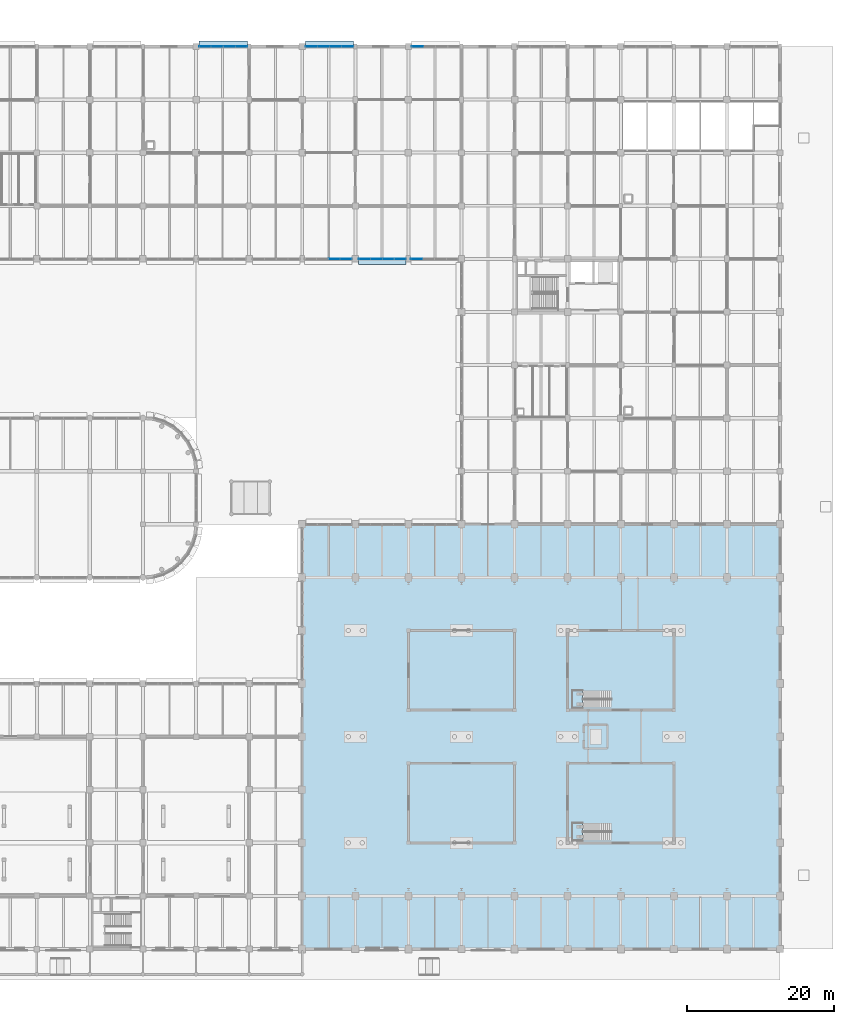
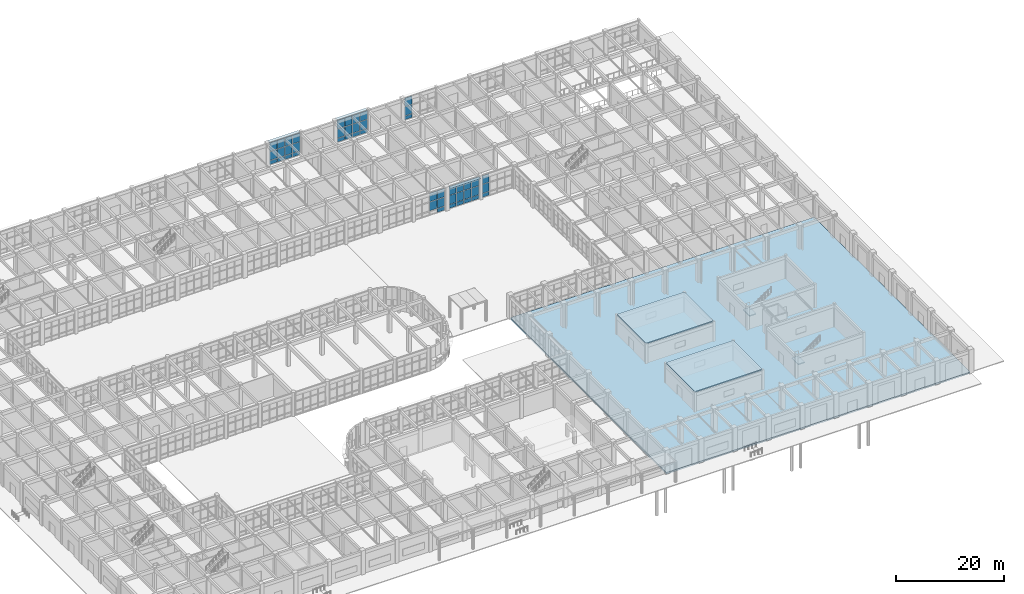
# One storey, part 129 of 160: 50 plates, 5 slabs, 8 elements without a shape of their own.
"""IFC4 building model written with IfcOpenShell, lengths in metres."""

from ifc_helpers import new_model, si_unit, direction, frame, origin, origin_2d, place, context, subcontext, project, spatial, polyline, rectangle, outline, extrude, material, layer, layer_set, type_object, element, aggregate, save


model = new_model("IFC4")

# Units and contexts
model_context = context("Model", 3, precision=1e-05, world=origin(), true_north=direction((0.0, 1.0)))
body_context = subcontext(model_context, "Body", "Model", "MODEL_VIEW")
ifc_project = project(units=[si_unit("LENGTHUNIT", "METRE"), si_unit("AREAUNIT", "SQUARE_METRE"), si_unit("VOLUMEUNIT", "CUBIC_METRE"), si_unit("PLANEANGLEUNIT", "RADIAN"), si_unit("MASSUNIT", "GRAM", prefix="KILO")], contexts=[model_context])

# Site, building, storey
site_placement = place(None, origin())
site = spatial("IfcSite", under=ifc_project, at=site_placement, CompositionType="ELEMENT")
building_placement = place(site_placement, origin())
building = spatial("IfcBuilding", under=site, at=building_placement, Name="Thalmaran Polytechnic", CompositionType="ELEMENT")
storey_placement = place(building_placement, origin())
storey = spatial("IfcBuildingStorey", under=building, at=storey_placement, Name="L00", CompositionType="ELEMENT", Elevation=0.0)

# Plates
ifc_material_1 = material(Name="Anodised aluminium sun-hood eyebrow", Category="aluminium")
ifc_layer_1 = layer(ifc_material_1, 0.0849609375, Name="Anodised aluminium sun-hood eyebrow")
ifc_layer_set_1 = layer_set([ifc_layer_1], Name="Anodised aluminium sun-hood eyebrow")
plate_type_1 = type_object("IfcPlateType", Name="PT-EB01", PredefinedType="SHEET", material=ifc_layer_set_1)
for number, where, z_axis, x_axis, name in (
    (1, (97.29248046875, 122.760009765625, 4.987548828125), (0.0, 0.0, 1.0), (1.0, 0.0, 0.0), "Streamline Sun-Hood Eyebrow L00-CW008"),
    (2, (111.6923828125, 122.760009765625, 4.987548828125), (0.0, 0.0, 1.0), (1.0, 0.0, 0.0), "Streamline Sun-Hood Eyebrow L00-CW009"),
):
    element("IfcPlate", number, at=place(storey_placement, frame(where, z_axis=z_axis, x_axis=x_axis)), inside=storey, type_object=plate_type_1, Name=name, PredefinedType="SHEET", context=body_context, shape_type="SweptSolid", body=[
        extrude(rectangle(XDim=6.52490234375, YDim=0.760009765625, at=origin_2d()), origin(), (0.0, 0.0, 1.0), 0.0849609375),
    ])
plate_1_placement = place(storey_placement, frame((118.8701171875, 93.239990234375, 4.987548828125), z_axis=(0.0, 0.0, 1.0), x_axis=(-1.0, 0.0, 0.0)))
element("IfcPlate", 3, at=plate_1_placement, inside=storey, type_object=plate_type_1, Name="Streamline Sun-Hood Eyebrow L00-CW073", PredefinedType="SHEET", context=body_context, shape_type="SweptSolid", body=[
    extrude(rectangle(XDim=6.419921875, YDim=0.760009765625, at=origin_2d()), origin(), (0.0, 0.0, 1.0), 0.0849609375),
])

# Curtain wall, plates
ifc_material_2 = material(Name="Aluminium 6063-T6", Category="aluminium")
curtain_wall_type = type_object("IfcCurtainWallType", Name="CW-UC01", PredefinedType="USERDEFINED", material=ifc_material_2)
curtain_wall_1_placement = place(storey_placement, origin())
curtain_wall_1 = element("IfcCurtainWall", 4, at=curtain_wall_1_placement, inside=storey, type_object=curtain_wall_type, Name="Curtain Wall CW-L00-010", ObjectType="UNITISED CURTAIN WALL", PredefinedType="USERDEFINED")
ifc_material_3 = material(Name="Solar-control double low-E glass", Category="glass")
ifc_layer_2 = layer(ifc_material_3, 0.035888671875, Name="Solar-control double low-E glass")
ifc_layer_set_2 = layer_set([ifc_layer_2], Name="Solar-control double low-E glass")
plate_type_2 = type_object("IfcPlateType", Name="PT-GL01", PredefinedType="CURTAIN_PANEL", material=ifc_layer_set_2)
plate_2_placement = place(storey_placement, frame((123.630615234375, 122.39990234375, 1.0), z_axis=(0.0, 0.0, 1.0), x_axis=(1.0, 0.0, 0.0)))
plate_2 = element("IfcPlate", 5, at=plate_2_placement, type_object=plate_type_2, Name="CW-L00-010 Vision Panel 1-2", PredefinedType="CURTAIN_PANEL", context=body_context, shape_type="SweptSolid", body=[
    extrude(rectangle(XDim=1.541259765625, YDim=0.035888671875, at=origin_2d()), origin(), (0.0, 0.0, 1.0), 1.985107421875),
])
plate_3_placement = place(storey_placement, frame((123.630615234375, 122.39990234375, 3.06494140625), z_axis=(0.0, 0.0, 1.0), x_axis=(1.0, 0.0, 0.0)))
plate_3 = element("IfcPlate", 6, at=plate_3_placement, type_object=plate_type_2, Name="CW-L00-010 Vision Panel 1-3", PredefinedType="CURTAIN_PANEL", context=body_context, shape_type="SweptSolid", body=[
    extrude(rectangle(XDim=1.541259765625, YDim=0.035888671875, at=origin_2d()), origin(), (0.0, 0.0, 1.0), 1.925048828125),
])

curtain_wall_2_placement = place(storey_placement, origin())
curtain_wall_2 = element("IfcCurtainWall", 7, at=curtain_wall_2_placement, inside=storey, type_object=curtain_wall_type, Name="Curtain Wall CW-L00-072", ObjectType="UNITISED CURTAIN WALL", PredefinedType="USERDEFINED")
ifc_layer_3 = layer(ifc_material_3, 0.035888671875, Name="Solar-control double low-E glass")
ifc_layer_set_3 = layer_set([ifc_layer_3], Name="Solar-control double low-E glass")
plate_type_3 = type_object("IfcPlateType", Name="PT-GL03", PredefinedType="CURTAIN_PANEL", material=ifc_layer_set_3)
plate_4_placement = place(storey_placement, frame((123.507568359375, 93.60009765625, 1.0), z_axis=(0.0, 0.0, 1.0), x_axis=(-1.0, 0.0, 0.0)))
plate_4 = element("IfcPlate", 8, at=plate_4_placement, type_object=plate_type_3, Name="CW-L00-072 Vision Panel 4-2", PredefinedType="CURTAIN_PANEL", context=body_context, shape_type="SweptSolid", body=[
    extrude(rectangle(XDim=1.514892578125, YDim=0.035888671875, at=origin_2d()), origin(), (0.0, 0.0, 1.0), 1.985107421875),
])
plate_5_placement = place(storey_placement, frame((123.507568359375, 93.60009765625, 3.06494140625), z_axis=(0.0, 0.0, 1.0), x_axis=(-1.0, 0.0, 0.0)))
plate_5 = element("IfcPlate", 9, at=plate_5_placement, type_object=plate_type_3, Name="CW-L00-072 Vision Panel 4-3", PredefinedType="CURTAIN_PANEL", context=body_context, shape_type="SweptSolid", body=[
    extrude(rectangle(XDim=1.514892578125, YDim=0.035888671875, at=origin_2d()), origin(), (0.0, 0.0, 1.0), 1.925048828125),
])

curtain_wall_3_placement = place(storey_placement, origin())
curtain_wall_3 = element("IfcCurtainWall", 10, at=curtain_wall_3_placement, inside=storey, type_object=curtain_wall_type, Name="Curtain Wall CW-L00-008", ObjectType="UNITISED CURTAIN WALL", PredefinedType="USERDEFINED")
ifc_layer_4 = layer(ifc_material_3, 0.035888671875, Name="Solar-control double low-E glass")
ifc_layer_set_4 = layer_set([ifc_layer_4], Name="Solar-control double low-E glass")
plate_type_4 = type_object("IfcPlateType", Name="PT-GL04", PredefinedType="CURTAIN_PANEL", material=ifc_layer_set_4)
plate_6_placement = place(storey_placement, frame((94.83056640625, 122.39990234375, 1.0), z_axis=(0.0, 0.0, 1.0), x_axis=(1.0, 0.0, 0.0)))
plate_6 = element("IfcPlate", 11, at=plate_6_placement, type_object=plate_type_4, Name="CW-L00-008 Vision Panel 1-2", PredefinedType="CURTAIN_PANEL", context=body_context, shape_type="SweptSolid", body=[
    extrude(rectangle(XDim=1.541259765625, YDim=0.035888671875, at=origin_2d()), origin(), (0.0, 0.0, 1.0), 1.985107421875),
])
plate_7_placement = place(storey_placement, frame((94.83056640625, 122.39990234375, 3.06494140625), z_axis=(0.0, 0.0, 1.0), x_axis=(1.0, 0.0, 0.0)))
plate_7 = element("IfcPlate", 12, at=plate_7_placement, type_object=plate_type_4, Name="CW-L00-008 Vision Panel 1-3", PredefinedType="CURTAIN_PANEL", context=body_context, shape_type="SweptSolid", body=[
    extrude(rectangle(XDim=1.541259765625, YDim=0.035888671875, at=origin_2d()), origin(), (0.0, 0.0, 1.0), 1.925048828125),
])
plate_8_placement = place(storey_placement, frame((96.471923828125, 122.39990234375, 1.0), z_axis=(0.0, 0.0, 1.0), x_axis=(1.0, 0.0, 0.0)))
plate_8 = element("IfcPlate", 13, at=plate_8_placement, type_object=plate_type_4, Name="CW-L00-008 Vision Panel 2-2", PredefinedType="CURTAIN_PANEL", context=body_context, shape_type="SweptSolid", body=[
    extrude(rectangle(XDim=1.541259765625, YDim=0.035888671875, at=origin_2d()), origin(), (0.0, 0.0, 1.0), 1.985107421875),
])
plate_9_placement = place(storey_placement, frame((96.471923828125, 122.39990234375, 3.06494140625), z_axis=(0.0, 0.0, 1.0), x_axis=(1.0, 0.0, 0.0)))
plate_9 = element("IfcPlate", 14, at=plate_9_placement, type_object=plate_type_4, Name="CW-L00-008 Vision Panel 2-3", PredefinedType="CURTAIN_PANEL", context=body_context, shape_type="SweptSolid", body=[
    extrude(rectangle(XDim=1.541259765625, YDim=0.035888671875, at=origin_2d()), origin(), (0.0, 0.0, 1.0), 1.925048828125),
])
plate_10_placement = place(storey_placement, frame((98.113037109375, 122.39990234375, 1.0), z_axis=(0.0, 0.0, 1.0), x_axis=(1.0, 0.0, 0.0)))
plate_10 = element("IfcPlate", 15, at=plate_10_placement, type_object=plate_type_4, Name="CW-L00-008 Vision Panel 3-2", PredefinedType="CURTAIN_PANEL", context=body_context, shape_type="SweptSolid", body=[
    extrude(rectangle(XDim=1.541259765625, YDim=0.035888671875, at=origin_2d()), origin(), (0.0, 0.0, 1.0), 1.985107421875),
])
plate_11_placement = place(storey_placement, frame((98.113037109375, 122.39990234375, 3.06494140625), z_axis=(0.0, 0.0, 1.0), x_axis=(1.0, 0.0, 0.0)))
plate_11 = element("IfcPlate", 16, at=plate_11_placement, type_object=plate_type_4, Name="CW-L00-008 Vision Panel 3-3", PredefinedType="CURTAIN_PANEL", context=body_context, shape_type="SweptSolid", body=[
    extrude(rectangle(XDim=1.541259765625, YDim=0.035888671875, at=origin_2d()), origin(), (0.0, 0.0, 1.0), 1.925048828125),
])
plate_12_placement = place(storey_placement, frame((99.75439453125, 122.39990234375, 1.0), z_axis=(0.0, 0.0, 1.0), x_axis=(1.0, 0.0, 0.0)))
plate_12 = element("IfcPlate", 17, at=plate_12_placement, type_object=plate_type_4, Name="CW-L00-008 Vision Panel 4-2", PredefinedType="CURTAIN_PANEL", context=body_context, shape_type="SweptSolid", body=[
    extrude(rectangle(XDim=1.541259765625, YDim=0.035888671875, at=origin_2d()), origin(), (0.0, 0.0, 1.0), 1.985107421875),
])
plate_13_placement = place(storey_placement, frame((99.75439453125, 122.39990234375, 3.06494140625), z_axis=(0.0, 0.0, 1.0), x_axis=(1.0, 0.0, 0.0)))
plate_13 = element("IfcPlate", 18, at=plate_13_placement, type_object=plate_type_4, Name="CW-L00-008 Vision Panel 4-3", PredefinedType="CURTAIN_PANEL", context=body_context, shape_type="SweptSolid", body=[
    extrude(rectangle(XDim=1.541259765625, YDim=0.035888671875, at=origin_2d()), origin(), (0.0, 0.0, 1.0), 1.925048828125),
])

curtain_wall_4_placement = place(storey_placement, origin())
curtain_wall_4 = element("IfcCurtainWall", 19, at=curtain_wall_4_placement, inside=storey, type_object=curtain_wall_type, Name="Curtain Wall CW-L00-073", ObjectType="UNITISED CURTAIN WALL", PredefinedType="USERDEFINED")
plate_14_placement = place(storey_placement, frame((121.29248046875, 93.60009765625, 1.0), z_axis=(0.0, 0.0, 1.0), x_axis=(-1.0, 0.0, 0.0)))
plate_14 = element("IfcPlate", 20, at=plate_14_placement, type_object=plate_type_4, Name="CW-L00-073 Vision Panel 1-2", PredefinedType="CURTAIN_PANEL", context=body_context, shape_type="SweptSolid", body=[
    extrude(rectangle(XDim=1.514892578125, YDim=0.035888671875, at=origin_2d()), origin(), (0.0, 0.0, 1.0), 1.985107421875),
])
plate_15_placement = place(storey_placement, frame((121.29248046875, 93.60009765625, 3.06494140625), z_axis=(0.0, 0.0, 1.0), x_axis=(-1.0, 0.0, 0.0)))
plate_15 = element("IfcPlate", 21, at=plate_15_placement, type_object=plate_type_4, Name="CW-L00-073 Vision Panel 1-3", PredefinedType="CURTAIN_PANEL", context=body_context, shape_type="SweptSolid", body=[
    extrude(rectangle(XDim=1.514892578125, YDim=0.035888671875, at=origin_2d()), origin(), (0.0, 0.0, 1.0), 1.925048828125),
])
plate_16_placement = place(storey_placement, frame((119.677490234375, 93.60009765625, 1.0), z_axis=(0.0, 0.0, 1.0), x_axis=(-1.0, 0.0, 0.0)))
plate_16 = element("IfcPlate", 22, at=plate_16_placement, type_object=plate_type_4, Name="CW-L00-073 Vision Panel 2-2", PredefinedType="CURTAIN_PANEL", context=body_context, shape_type="SweptSolid", body=[
    extrude(rectangle(XDim=1.514892578125, YDim=0.035888671875, at=origin_2d()), origin(), (0.0, 0.0, 1.0), 1.985107421875),
])
plate_17_placement = place(storey_placement, frame((119.677490234375, 93.60009765625, 3.06494140625), z_axis=(0.0, 0.0, 1.0), x_axis=(-1.0, 0.0, 0.0)))
plate_17 = element("IfcPlate", 23, at=plate_17_placement, type_object=plate_type_4, Name="CW-L00-073 Vision Panel 2-3", PredefinedType="CURTAIN_PANEL", context=body_context, shape_type="SweptSolid", body=[
    extrude(rectangle(XDim=1.514892578125, YDim=0.035888671875, at=origin_2d()), origin(), (0.0, 0.0, 1.0), 1.925048828125),
])
plate_18_placement = place(storey_placement, frame((118.0625, 93.60009765625, 1.0), z_axis=(0.0, 0.0, 1.0), x_axis=(-1.0, 0.0, 0.0)))
plate_18 = element("IfcPlate", 24, at=plate_18_placement, type_object=plate_type_4, Name="CW-L00-073 Vision Panel 3-2", PredefinedType="CURTAIN_PANEL", context=body_context, shape_type="SweptSolid", body=[
    extrude(rectangle(XDim=1.514892578125, YDim=0.035888671875, at=origin_2d()), origin(), (0.0, 0.0, 1.0), 1.985107421875),
])
plate_19_placement = place(storey_placement, frame((118.0625, 93.60009765625, 3.06494140625), z_axis=(0.0, 0.0, 1.0), x_axis=(-1.0, 0.0, 0.0)))
plate_19 = element("IfcPlate", 25, at=plate_19_placement, type_object=plate_type_4, Name="CW-L00-073 Vision Panel 3-3", PredefinedType="CURTAIN_PANEL", context=body_context, shape_type="SweptSolid", body=[
    extrude(rectangle(XDim=1.514892578125, YDim=0.035888671875, at=origin_2d()), origin(), (0.0, 0.0, 1.0), 1.925048828125),
])
plate_20_placement = place(storey_placement, frame((116.447509765625, 93.60009765625, 1.0), z_axis=(0.0, 0.0, 1.0), x_axis=(-1.0, 0.0, 0.0)))
plate_20 = element("IfcPlate", 26, at=plate_20_placement, type_object=plate_type_4, Name="CW-L00-073 Vision Panel 4-2", PredefinedType="CURTAIN_PANEL", context=body_context, shape_type="SweptSolid", body=[
    extrude(rectangle(XDim=1.514892578125, YDim=0.035888671875, at=origin_2d()), origin(), (0.0, 0.0, 1.0), 1.985107421875),
])
plate_21_placement = place(storey_placement, frame((116.447509765625, 93.60009765625, 3.06494140625), z_axis=(0.0, 0.0, 1.0), x_axis=(-1.0, 0.0, 0.0)))
plate_21 = element("IfcPlate", 27, at=plate_21_placement, type_object=plate_type_4, Name="CW-L00-073 Vision Panel 4-3", PredefinedType="CURTAIN_PANEL", context=body_context, shape_type="SweptSolid", body=[
    extrude(rectangle(XDim=1.514892578125, YDim=0.035888671875, at=origin_2d()), origin(), (0.0, 0.0, 1.0), 1.925048828125),
])

curtain_wall_5_placement = place(storey_placement, origin())
curtain_wall_5 = element("IfcCurtainWall", 28, at=curtain_wall_5_placement, inside=storey, type_object=curtain_wall_type, Name="Curtain Wall CW-L00-009", ObjectType="UNITISED CURTAIN WALL", PredefinedType="USERDEFINED")
ifc_layer_5 = layer(ifc_material_3, 0.035888671875, Name="Solar-control double low-E glass")
ifc_layer_set_5 = layer_set([ifc_layer_5], Name="Solar-control double low-E glass")
plate_type_5 = type_object("IfcPlateType", Name="PT-GL05", PredefinedType="CURTAIN_PANEL", material=ifc_layer_set_5)
plate_22_placement = place(storey_placement, frame((109.230712890625, 122.39990234375, 1.0), z_axis=(0.0, 0.0, 1.0), x_axis=(1.0, 0.0, 0.0)))
plate_22 = element("IfcPlate", 29, at=plate_22_placement, type_object=plate_type_5, Name="CW-L00-009 Vision Panel 1-2", PredefinedType="CURTAIN_PANEL", context=body_context, shape_type="SweptSolid", body=[
    extrude(rectangle(XDim=1.541259765625, YDim=0.035888671875, at=origin_2d()), origin(), (0.0, 0.0, 1.0), 1.985107421875),
])
plate_23_placement = place(storey_placement, frame((109.230712890625, 122.39990234375, 3.06494140625), z_axis=(0.0, 0.0, 1.0), x_axis=(1.0, 0.0, 0.0)))
plate_23 = element("IfcPlate", 30, at=plate_23_placement, type_object=plate_type_5, Name="CW-L00-009 Vision Panel 1-3", PredefinedType="CURTAIN_PANEL", context=body_context, shape_type="SweptSolid", body=[
    extrude(rectangle(XDim=1.541259765625, YDim=0.035888671875, at=origin_2d()), origin(), (0.0, 0.0, 1.0), 1.925048828125),
])
plate_24_placement = place(storey_placement, frame((110.871826171875, 122.39990234375, 1.0), z_axis=(0.0, 0.0, 1.0), x_axis=(1.0, 0.0, 0.0)))
plate_24 = element("IfcPlate", 31, at=plate_24_placement, type_object=plate_type_5, Name="CW-L00-009 Vision Panel 2-2", PredefinedType="CURTAIN_PANEL", context=body_context, shape_type="SweptSolid", body=[
    extrude(rectangle(XDim=1.541259765625, YDim=0.035888671875, at=origin_2d()), origin(), (0.0, 0.0, 1.0), 1.985107421875),
])
plate_25_placement = place(storey_placement, frame((110.871826171875, 122.39990234375, 3.06494140625), z_axis=(0.0, 0.0, 1.0), x_axis=(1.0, 0.0, 0.0)))
plate_25 = element("IfcPlate", 32, at=plate_25_placement, type_object=plate_type_5, Name="CW-L00-009 Vision Panel 2-3", PredefinedType="CURTAIN_PANEL", context=body_context, shape_type="SweptSolid", body=[
    extrude(rectangle(XDim=1.541259765625, YDim=0.035888671875, at=origin_2d()), origin(), (0.0, 0.0, 1.0), 1.925048828125),
])
plate_26_placement = place(storey_placement, frame((112.51318359375, 122.39990234375, 1.0), z_axis=(0.0, 0.0, 1.0), x_axis=(1.0, 0.0, 0.0)))
plate_26 = element("IfcPlate", 33, at=plate_26_placement, type_object=plate_type_5, Name="CW-L00-009 Vision Panel 3-2", PredefinedType="CURTAIN_PANEL", context=body_context, shape_type="SweptSolid", body=[
    extrude(rectangle(XDim=1.541259765625, YDim=0.035888671875, at=origin_2d()), origin(), (0.0, 0.0, 1.0), 1.985107421875),
])
plate_27_placement = place(storey_placement, frame((112.51318359375, 122.39990234375, 3.06494140625), z_axis=(0.0, 0.0, 1.0), x_axis=(1.0, 0.0, 0.0)))
plate_27 = element("IfcPlate", 34, at=plate_27_placement, type_object=plate_type_5, Name="CW-L00-009 Vision Panel 3-3", PredefinedType="CURTAIN_PANEL", context=body_context, shape_type="SweptSolid", body=[
    extrude(rectangle(XDim=1.541259765625, YDim=0.035888671875, at=origin_2d()), origin(), (0.0, 0.0, 1.0), 1.925048828125),
])
plate_28_placement = place(storey_placement, frame((114.154296875, 122.39990234375, 1.0), z_axis=(0.0, 0.0, 1.0), x_axis=(1.0, 0.0, 0.0)))
plate_28 = element("IfcPlate", 35, at=plate_28_placement, type_object=plate_type_5, Name="CW-L00-009 Vision Panel 4-2", PredefinedType="CURTAIN_PANEL", context=body_context, shape_type="SweptSolid", body=[
    extrude(rectangle(XDim=1.541259765625, YDim=0.035888671875, at=origin_2d()), origin(), (0.0, 0.0, 1.0), 1.985107421875),
])
plate_29_placement = place(storey_placement, frame((114.154296875, 122.39990234375, 3.06494140625), z_axis=(0.0, 0.0, 1.0), x_axis=(1.0, 0.0, 0.0)))
plate_29 = element("IfcPlate", 36, at=plate_29_placement, type_object=plate_type_5, Name="CW-L00-009 Vision Panel 4-3", PredefinedType="CURTAIN_PANEL", context=body_context, shape_type="SweptSolid", body=[
    extrude(rectangle(XDim=1.541259765625, YDim=0.035888671875, at=origin_2d()), origin(), (0.0, 0.0, 1.0), 1.925048828125),
])

curtain_wall_6_placement = place(storey_placement, origin())
curtain_wall_6 = element("IfcCurtainWall", 37, at=curtain_wall_6_placement, inside=storey, type_object=curtain_wall_type, Name="Curtain Wall CW-L00-074", ObjectType="UNITISED CURTAIN WALL", PredefinedType="USERDEFINED")
plate_30_placement = place(storey_placement, frame((113.952392578125, 93.60009765625, 1.0), z_axis=(0.0, 0.0, 1.0), x_axis=(-1.0, 0.0, 0.0)))
plate_30 = element("IfcPlate", 38, at=plate_30_placement, type_object=plate_type_5, Name="CW-L00-074 Vision Panel 1-2", PredefinedType="CURTAIN_PANEL", context=body_context, shape_type="SweptSolid", body=[
    extrude(rectangle(XDim=1.514892578125, YDim=0.035888671875, at=origin_2d()), origin(), (0.0, 0.0, 1.0), 1.985107421875),
])
plate_31_placement = place(storey_placement, frame((113.952392578125, 93.60009765625, 3.06494140625), z_axis=(0.0, 0.0, 1.0), x_axis=(-1.0, 0.0, 0.0)))
plate_31 = element("IfcPlate", 39, at=plate_31_placement, type_object=plate_type_5, Name="CW-L00-074 Vision Panel 1-3", PredefinedType="CURTAIN_PANEL", context=body_context, shape_type="SweptSolid", body=[
    extrude(rectangle(XDim=1.514892578125, YDim=0.035888671875, at=origin_2d()), origin(), (0.0, 0.0, 1.0), 1.925048828125),
])
plate_32_placement = place(storey_placement, frame((112.33740234375, 93.60009765625, 1.0), z_axis=(0.0, 0.0, 1.0), x_axis=(-1.0, 0.0, 0.0)))
plate_32 = element("IfcPlate", 40, at=plate_32_placement, type_object=plate_type_5, Name="CW-L00-074 Vision Panel 2-2", PredefinedType="CURTAIN_PANEL", context=body_context, shape_type="SweptSolid", body=[
    extrude(rectangle(XDim=1.514892578125, YDim=0.035888671875, at=origin_2d()), origin(), (0.0, 0.0, 1.0), 1.985107421875),
])
plate_33_placement = place(storey_placement, frame((112.33740234375, 93.60009765625, 3.06494140625), z_axis=(0.0, 0.0, 1.0), x_axis=(-1.0, 0.0, 0.0)))
plate_33 = element("IfcPlate", 41, at=plate_33_placement, type_object=plate_type_5, Name="CW-L00-074 Vision Panel 2-3", PredefinedType="CURTAIN_PANEL", context=body_context, shape_type="SweptSolid", body=[
    extrude(rectangle(XDim=1.514892578125, YDim=0.035888671875, at=origin_2d()), origin(), (0.0, 0.0, 1.0), 1.925048828125),
])

# Plate
ifc_material_4 = material(Name="Insulated anodised aluminium spandrel", Category="aluminium")
ifc_layer_6 = layer(ifc_material_4, 0.06005859375, Name="Insulated anodised aluminium spandrel")
ifc_layer_set_6 = layer_set([ifc_layer_6], Name="Insulated anodised aluminium spandrel")
plate_type_6 = type_object("IfcPlateType", Name="PT-SP01", PredefinedType="CURTAIN_PANEL", material=ifc_layer_set_6)
plate_34_placement = place(storey_placement, frame((109.230712890625, 122.39990234375, 0.10009765625), z_axis=(0.0, 0.0, 1.0), x_axis=(1.0, 0.0, 0.0)))
plate_34 = element("IfcPlate", 42, at=plate_34_placement, type_object=plate_type_6, Name="CW-L00-009 Spandrel Panel 1-1", PredefinedType="CURTAIN_PANEL", context=body_context, shape_type="SweptSolid", body=[
    extrude(rectangle(XDim=1.541259765625, YDim=0.06005859375, at=origin_2d()), origin(), (0.0, 0.0, 1.0), 0.820068359375),
])

plate_35_placement = place(storey_placement, frame((110.871826171875, 122.39990234375, 0.10009765625), z_axis=(0.0, 0.0, 1.0), x_axis=(1.0, 0.0, 0.0)))
plate_35 = element("IfcPlate", 43, at=plate_35_placement, type_object=plate_type_6, Name="CW-L00-009 Spandrel Panel 2-1", PredefinedType="CURTAIN_PANEL", context=body_context, shape_type="SweptSolid", body=[
    extrude(rectangle(XDim=1.541259765625, YDim=0.06005859375, at=origin_2d()), origin(), (0.0, 0.0, 1.0), 0.820068359375),
])

plate_36_placement = place(storey_placement, frame((112.51318359375, 122.39990234375, 0.10009765625), z_axis=(0.0, 0.0, 1.0), x_axis=(1.0, 0.0, 0.0)))
plate_36 = element("IfcPlate", 44, at=plate_36_placement, type_object=plate_type_6, Name="CW-L00-009 Spandrel Panel 3-1", PredefinedType="CURTAIN_PANEL", context=body_context, shape_type="SweptSolid", body=[
    extrude(rectangle(XDim=1.541259765625, YDim=0.06005859375, at=origin_2d()), origin(), (0.0, 0.0, 1.0), 0.820068359375),
])

plate_37_placement = place(storey_placement, frame((114.154296875, 122.39990234375, 0.10009765625), z_axis=(0.0, 0.0, 1.0), x_axis=(1.0, 0.0, 0.0)))
plate_37 = element("IfcPlate", 45, at=plate_37_placement, type_object=plate_type_6, Name="CW-L00-009 Spandrel Panel 4-1", PredefinedType="CURTAIN_PANEL", context=body_context, shape_type="SweptSolid", body=[
    extrude(rectangle(XDim=1.541259765625, YDim=0.06005859375, at=origin_2d()), origin(), (0.0, 0.0, 1.0), 0.820068359375),
])

aggregate(curtain_wall_5, [plate_34, plate_22, plate_23, plate_35, plate_24, plate_25, plate_36, plate_26, plate_27, plate_37, plate_28, plate_29])

plate_38_placement = place(storey_placement, frame((123.507568359375, 93.60009765625, 0.10009765625), z_axis=(0.0, 0.0, 1.0), x_axis=(-1.0, 0.0, 0.0)))
plate_38 = element("IfcPlate", 46, at=plate_38_placement, type_object=plate_type_6, Name="CW-L00-072 Spandrel Panel 4-1", PredefinedType="CURTAIN_PANEL", context=body_context, shape_type="SweptSolid", body=[
    extrude(rectangle(XDim=1.514892578125, YDim=0.06005859375, at=origin_2d()), origin(), (0.0, 0.0, 1.0), 0.820068359375),
])

aggregate(curtain_wall_2, [plate_38, plate_4, plate_5])

ifc_layer_7 = layer(ifc_material_4, 0.06005859375, Name="Insulated anodised aluminium spandrel")
ifc_layer_set_7 = layer_set([ifc_layer_7], Name="Insulated anodised aluminium spandrel")
plate_type_7 = type_object("IfcPlateType", Name="PT-SP02", PredefinedType="CURTAIN_PANEL", material=ifc_layer_set_7)
plate_39_placement = place(storey_placement, frame((123.630615234375, 122.39990234375, 0.10009765625), z_axis=(0.0, 0.0, 1.0), x_axis=(1.0, 0.0, 0.0)))
plate_39 = element("IfcPlate", 47, at=plate_39_placement, type_object=plate_type_7, Name="CW-L00-010 Spandrel Panel 1-1", PredefinedType="CURTAIN_PANEL", context=body_context, shape_type="SweptSolid", body=[
    extrude(rectangle(XDim=1.541259765625, YDim=0.06005859375, at=origin_2d()), origin(), (0.0, 0.0, 1.0), 0.820068359375),
])

aggregate(curtain_wall_1, [plate_39, plate_2, plate_3])

plate_40_placement = place(storey_placement, frame((121.29248046875, 93.60009765625, 0.10009765625), z_axis=(0.0, 0.0, 1.0), x_axis=(-1.0, 0.0, 0.0)))
plate_40 = element("IfcPlate", 48, at=plate_40_placement, type_object=plate_type_7, Name="CW-L00-073 Spandrel Panel 1-1", PredefinedType="CURTAIN_PANEL", context=body_context, shape_type="SweptSolid", body=[
    extrude(rectangle(XDim=1.514892578125, YDim=0.06005859375, at=origin_2d()), origin(), (0.0, 0.0, 1.0), 0.820068359375),
])

plate_41_placement = place(storey_placement, frame((119.677490234375, 93.60009765625, 0.10009765625), z_axis=(0.0, 0.0, 1.0), x_axis=(-1.0, 0.0, 0.0)))
plate_41 = element("IfcPlate", 49, at=plate_41_placement, type_object=plate_type_7, Name="CW-L00-073 Spandrel Panel 2-1", PredefinedType="CURTAIN_PANEL", context=body_context, shape_type="SweptSolid", body=[
    extrude(rectangle(XDim=1.514892578125, YDim=0.06005859375, at=origin_2d()), origin(), (0.0, 0.0, 1.0), 0.820068359375),
])

plate_42_placement = place(storey_placement, frame((118.0625, 93.60009765625, 0.10009765625), z_axis=(0.0, 0.0, 1.0), x_axis=(-1.0, 0.0, 0.0)))
plate_42 = element("IfcPlate", 50, at=plate_42_placement, type_object=plate_type_7, Name="CW-L00-073 Spandrel Panel 3-1", PredefinedType="CURTAIN_PANEL", context=body_context, shape_type="SweptSolid", body=[
    extrude(rectangle(XDim=1.514892578125, YDim=0.06005859375, at=origin_2d()), origin(), (0.0, 0.0, 1.0), 0.820068359375),
])

plate_43_placement = place(storey_placement, frame((116.447509765625, 93.60009765625, 0.10009765625), z_axis=(0.0, 0.0, 1.0), x_axis=(-1.0, 0.0, 0.0)))
plate_43 = element("IfcPlate", 51, at=plate_43_placement, type_object=plate_type_7, Name="CW-L00-073 Spandrel Panel 4-1", PredefinedType="CURTAIN_PANEL", context=body_context, shape_type="SweptSolid", body=[
    extrude(rectangle(XDim=1.514892578125, YDim=0.06005859375, at=origin_2d()), origin(), (0.0, 0.0, 1.0), 0.820068359375),
])

aggregate(curtain_wall_4, [plate_40, plate_14, plate_15, plate_41, plate_16, plate_17, plate_42, plate_18, plate_19, plate_43, plate_20, plate_21])

ifc_layer_8 = layer(ifc_material_4, 0.06005859375, Name="Insulated anodised aluminium spandrel")
ifc_layer_set_8 = layer_set([ifc_layer_8], Name="Insulated anodised aluminium spandrel")
plate_type_8 = type_object("IfcPlateType", Name="PT-SP03", PredefinedType="CURTAIN_PANEL", material=ifc_layer_set_8)
plate_44_placement = place(storey_placement, frame((94.83056640625, 122.39990234375, 0.10009765625), z_axis=(0.0, 0.0, 1.0), x_axis=(1.0, 0.0, 0.0)))
plate_44 = element("IfcPlate", 52, at=plate_44_placement, type_object=plate_type_8, Name="CW-L00-008 Spandrel Panel 1-1", PredefinedType="CURTAIN_PANEL", context=body_context, shape_type="SweptSolid", body=[
    extrude(rectangle(XDim=1.541259765625, YDim=0.06005859375, at=origin_2d()), origin(), (0.0, 0.0, 1.0), 0.820068359375),
])

plate_45_placement = place(storey_placement, frame((96.471923828125, 122.39990234375, 0.10009765625), z_axis=(0.0, 0.0, 1.0), x_axis=(1.0, 0.0, 0.0)))
plate_45 = element("IfcPlate", 53, at=plate_45_placement, type_object=plate_type_8, Name="CW-L00-008 Spandrel Panel 2-1", PredefinedType="CURTAIN_PANEL", context=body_context, shape_type="SweptSolid", body=[
    extrude(rectangle(XDim=1.541259765625, YDim=0.06005859375, at=origin_2d()), origin(), (0.0, 0.0, 1.0), 0.820068359375),
])

plate_46_placement = place(storey_placement, frame((98.113037109375, 122.39990234375, 0.10009765625), z_axis=(0.0, 0.0, 1.0), x_axis=(1.0, 0.0, 0.0)))
plate_46 = element("IfcPlate", 54, at=plate_46_placement, type_object=plate_type_8, Name="CW-L00-008 Spandrel Panel 3-1", PredefinedType="CURTAIN_PANEL", context=body_context, shape_type="SweptSolid", body=[
    extrude(rectangle(XDim=1.541259765625, YDim=0.06005859375, at=origin_2d()), origin(), (0.0, 0.0, 1.0), 0.820068359375),
])

plate_47_placement = place(storey_placement, frame((99.75439453125, 122.39990234375, 0.10009765625), z_axis=(0.0, 0.0, 1.0), x_axis=(1.0, 0.0, 0.0)))
plate_47 = element("IfcPlate", 55, at=plate_47_placement, type_object=plate_type_8, Name="CW-L00-008 Spandrel Panel 4-1", PredefinedType="CURTAIN_PANEL", context=body_context, shape_type="SweptSolid", body=[
    extrude(rectangle(XDim=1.541259765625, YDim=0.06005859375, at=origin_2d()), origin(), (0.0, 0.0, 1.0), 0.820068359375),
])

aggregate(curtain_wall_3, [plate_44, plate_6, plate_7, plate_45, plate_8, plate_9, plate_46, plate_10, plate_11, plate_47, plate_12, plate_13])

plate_48_placement = place(storey_placement, frame((113.952392578125, 93.60009765625, 0.10009765625), z_axis=(0.0, 0.0, 1.0), x_axis=(-1.0, 0.0, 0.0)))
plate_48 = element("IfcPlate", 56, at=plate_48_placement, type_object=plate_type_8, Name="CW-L00-074 Spandrel Panel 1-1", PredefinedType="CURTAIN_PANEL", context=body_context, shape_type="SweptSolid", body=[
    extrude(rectangle(XDim=1.514892578125, YDim=0.06005859375, at=origin_2d()), origin(), (0.0, 0.0, 1.0), 0.820068359375),
])

aggregate(curtain_wall_6, [plate_48, plate_30, plate_31, plate_32, plate_33])

# Slab
ifc_material_5 = material(Name="Concrete C40/50", Category="concrete")
ifc_layer_9 = layer(ifc_material_5, 0.360107421875, Name="Concrete C40/50")
ifc_layer_set_9 = layer_set([ifc_layer_9], Name="Concrete C40/50")
slab_type_1 = type_object("IfcSlabType", Name="SL-FL01", PredefinedType="FLOOR", material=ifc_layer_set_9)
slab_1_placement = place(storey_placement, frame((0.0, 0.0, -0.360107421875)))
element("IfcSlab", 57, at=slab_1_placement, inside=storey, type_object=slab_type_1, Name="V4 L00 Structural Slab", PredefinedType="FLOOR", context=body_context, shape_type="SweptSolid", body=[
    extrude(outline(polyline([(108.0, 36.0), (108.0, 43.199951171875), (108.0, 50.39990234375), (108.0, 57.60009765625), (115.199951171875, 57.60009765625), (122.39990234375, 57.60009765625), (129.60009765625, 57.60009765625), (136.800048828125, 57.60009765625), (144.0, 57.60009765625), (151.199951171875, 57.60009765625), (158.39990234375, 57.60009765625), (165.60009765625, 57.60009765625), (172.800048828125, 57.60009765625), (172.800048828125, 50.39990234375), (172.800048828125, 43.199951171875), (172.800048828125, 36.0), (172.800048828125, 28.800048828125), (172.800048828125, 21.60009765625), (172.800048828125, 14.39990234375), (172.800048828125, 7.199951171875), (172.800048828125, 0.0), (165.60009765625, 0.0), (158.39990234375, 0.0), (151.199951171875, 0.0), (144.0, 0.0), (136.800048828125, 0.0), (129.60009765625, 0.0), (122.39990234375, 0.0), (115.199951171875, 0.0), (108.0, 0.0), (108.0, 7.199951171875), (108.0, 14.39990234375), (108.0, 21.60009765625), (108.0, 28.800048828125), (108.0, 36.0)])), origin(), (0.0, 0.0, 1.0), 0.360107421875),
])

# Stair, slab
stair_type = type_object("IfcStairType", Name="ST-SR54", PredefinedType="HALF_TURN_STAIR", material=ifc_material_5)
stair_1_placement = place(storey_placement, origin())
stair_1 = element("IfcStair", 58, at=stair_1_placement, inside=storey, type_object=stair_type, Name="Pod Mezzanine Stair STP1", PredefinedType="HALF_TURN_STAIR")
ifc_layer_10 = layer(ifc_material_5, 0.195068359375, Name="Concrete C40/50")
ifc_layer_set_10 = layer_set([ifc_layer_10], Name="Concrete C40/50")
slab_type_2 = type_object("IfcSlabType", Name="SL-LD02", PredefinedType="LANDING", material=ifc_layer_set_10)
slab_2_placement = place(storey_placement, frame((0.0, 0.0, 2.5048828125)))
slab_2 = element("IfcSlab", 59, at=slab_2_placement, type_object=slab_type_2, Name="STP1 Half Landing", PredefinedType="LANDING", context=body_context, shape_type="SweptSolid", body=[
    extrude(outline(polyline([(144.60009765625, 14.699951171875), (146.0400390625, 14.699951171875), (146.0400390625, 17.10009765625), (144.60009765625, 17.10009765625), (144.60009765625, 14.699951171875)])), origin(), (0.0, 0.0, 1.0), 0.195068359375),
])
aggregate(stair_1, [slab_2])

stair_2_placement = place(storey_placement, origin())
stair_2 = element("IfcStair", 60, at=stair_2_placement, inside=storey, type_object=stair_type, Name="Pod Mezzanine Stair STP2", PredefinedType="HALF_TURN_STAIR")
slab_3_placement = place(storey_placement, frame((0.0, 0.0, 2.5048828125)))
slab_3 = element("IfcSlab", 61, at=slab_3_placement, type_object=slab_type_2, Name="STP2 Half Landing", PredefinedType="LANDING", context=body_context, shape_type="SweptSolid", body=[
    extrude(outline(polyline([(144.60009765625, 32.699951171875), (146.0400390625, 32.699951171875), (146.0400390625, 35.10009765625), (144.60009765625, 35.10009765625), (144.60009765625, 32.699951171875)])), origin(), (0.0, 0.0, 1.0), 0.195068359375),
])
aggregate(stair_2, [slab_3])

# Slabs
ifc_layer_11 = layer(ifc_material_5, 0.18994140625, Name="Concrete C40/50")
ifc_layer_set_11 = layer_set([ifc_layer_11], Name="Concrete C40/50")
slab_type_3 = type_object("IfcSlabType", Name="SL-RF05", PredefinedType="ROOF", material=ifc_layer_set_11)
slab_4_placement = place(storey_placement, frame((0.0, 0.0, 4.2548828125)))
element("IfcSlab", 62, at=slab_4_placement, inside=storey, type_object=slab_type_3, Name="POD1 Acoustic Roof Slab", PredefinedType="ROOF", context=body_context, shape_type="SweptSolid", body=[
    extrude(outline(polyline([(122.39990234375, 14.39990234375), (136.800048828125, 14.39990234375), (136.800048828125, 25.199951171875), (122.39990234375, 25.199951171875), (122.39990234375, 14.39990234375)])), origin(), (0.0, 0.0, 1.0), 0.2451171875),
])
slab_5_placement = place(storey_placement, frame((0.0, 0.0, 4.2548828125)))
element("IfcSlab", 63, at=slab_5_placement, inside=storey, type_object=slab_type_3, Name="POD3 Acoustic Roof Slab", PredefinedType="ROOF", context=body_context, shape_type="SweptSolid", body=[
    extrude(outline(polyline([(122.39990234375, 32.39990234375), (136.800048828125, 32.39990234375), (136.800048828125, 43.199951171875), (122.39990234375, 43.199951171875), (122.39990234375, 32.39990234375)])), origin(), (0.0, 0.0, 1.0), 0.2451171875),
])

save(model, "model.ifc")
